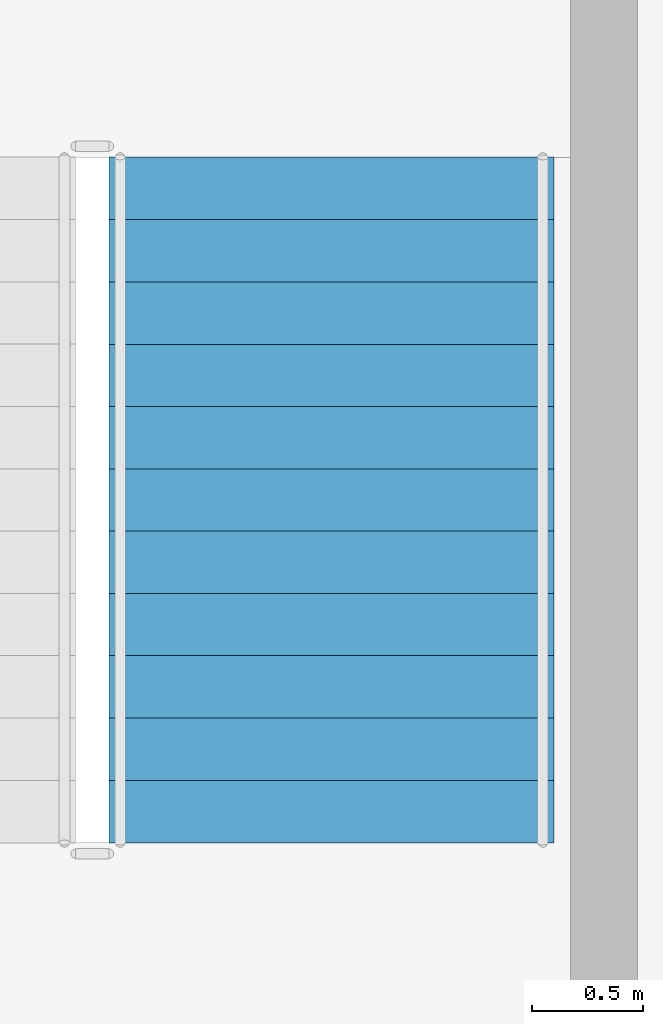
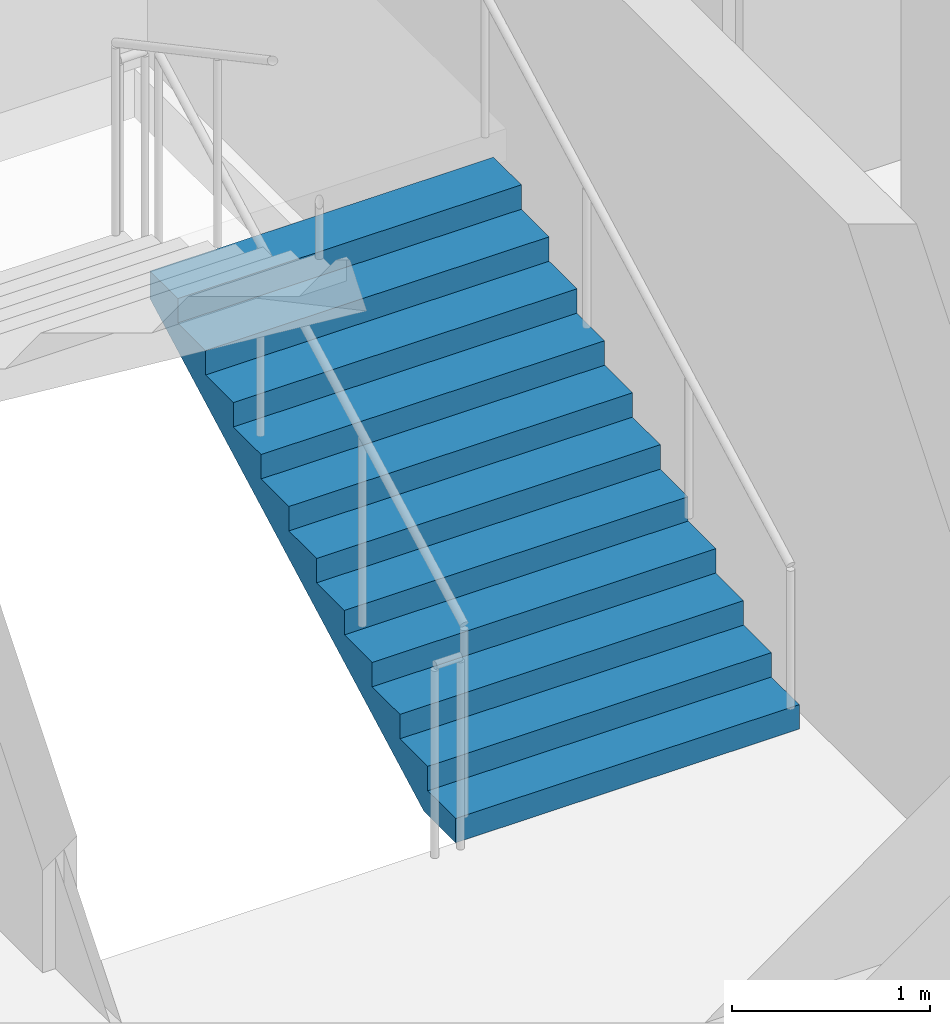
# One storey, part 12 of 19: 1 stair flight, 1 element without a shape of its own.
"""IFC4 building model written with IfcOpenShell, lengths in metres."""

from ifc_helpers import new_model, si_unit, direction, frame, origin, place, context, subcontext, project, spatial, polygons, material, type_object, element, aggregate, save


model = new_model("IFC4")

# Units and contexts
model_context = context("Model", 3, precision=1e-05, world=origin(), true_north=direction((0.0, 1.0)))
body_context = subcontext(model_context, "Body", "Model", "MODEL_VIEW")
ifc_project = project(units=[si_unit("LENGTHUNIT", "METRE"), si_unit("AREAUNIT", "SQUARE_METRE"), si_unit("VOLUMEUNIT", "CUBIC_METRE"), si_unit("PLANEANGLEUNIT", "RADIAN"), si_unit("MASSUNIT", "GRAM", prefix="KILO")], contexts=[model_context])

# Site, building, storey
site_placement = place(None, origin())
site = spatial("IfcSite", under=ifc_project, at=site_placement, CompositionType="ELEMENT")
building_placement = place(site_placement, origin())
building = spatial("IfcBuilding", under=site, at=building_placement, Name="Caravel Reach Hotel and Residences", CompositionType="ELEMENT")
storey_placement = place(building_placement, frame((0.0, 0.0, 85.199951171875)))
storey = spatial("IfcBuildingStorey", under=building, at=storey_placement, Name="L20", CompositionType="ELEMENT", Elevation=85.199951171875)

# Stair, stair flight
ifc_material_1 = material(Name="Concrete C40", Category="concrete")
stair_type = type_object("IfcStairType", Name="Core stair", PredefinedType="HALF_TURN_STAIR", material=ifc_material_1)
stair_placement = place(storey_placement, origin())
stair = element("IfcStair", 1, at=stair_placement, inside=storey, type_object=stair_type, Name="L20 Exit stair B", PredefinedType="HALF_TURN_STAIR")
ifc_material_2 = material(Name="Concrete C40", Category="concrete")
stair_flight_type = type_object("IfcStairFlightType", Name="Core stair flight", PredefinedType="STRAIGHT", material=ifc_material_2)
stair_flight_placement = place(storey_placement, frame((43.77490234375, 24.64990234375, 0.0), z_axis=(0.0, 0.0, 1.0), x_axis=(0.0, 1.0, 0.0)))
stair_flight = element("IfcStairFlight", 2, at=stair_flight_placement, type_object=stair_flight_type, Name="ST-B flight 1", NumberOfRisers=12, NumberOfTreads=11, PredefinedType="STRAIGHT", RiserHeight=0.15, TreadLength=0.28, context=body_context, shape_type="Tessellation", body=[
    polygons([(0.3174408016601862, 1.0, 0.0), (0.3174408016601862, 0.6666666666666667, 0.0), (0.3174408016601862, 0.33333333333333337, 0.0), (0.3174408016601862, 0.0, 0.0), (0.3174408016601862, -0.33333333333333326, 0.0), (0.3174408016601862, -0.6666666666666667, 0.0), (0.3174408016601862, -1.0, 0.0), (3.081, 1.0, 1.479942427682043), (3.081, 0.6666666666666667, 1.479942427682043), (3.081, 0.33333333333333337, 1.479942427682043), (3.081, 0.0, 1.479942427682043), (3.081, -0.33333333333333326, 1.479942427682043), (3.081, -0.6666666666666667, 1.479942427682043), (3.081, -1.0, 1.479942427682043), (3.081, 1.0, 1.65), (3.081, 0.6666666666666667, 1.65), (3.081, 0.33333333333333337, 1.65), (3.081, 0.0, 1.65), (3.081, -0.33333333333333326, 1.65), (3.081, -0.6666666666666667, 1.65), (3.081, -1.0, 1.65), (2.8000000000000003, 1.0, 1.65), (2.8000000000000003, 0.6666666666666667, 1.65), (2.8000000000000003, 0.33333333333333337, 1.65), (2.8000000000000003, 0.0, 1.65), (2.8000000000000003, -0.33333333333333326, 1.65), (2.8000000000000003, -0.6666666666666667, 1.65), (2.8000000000000003, -1.0, 1.65), (2.8000000000000003, 1.0, 1.5), (2.8000000000000003, 0.6666666666666667, 1.5), (2.8000000000000003, 0.33333333333333337, 1.5), (2.8000000000000003, 0.0, 1.5), (2.8000000000000003, -0.33333333333333326, 1.5), (2.8000000000000003, -0.6666666666666667, 1.5), (2.8000000000000003, -1.0, 1.5), (2.5200000000000005, 1.0, 1.5), (2.5200000000000005, 0.6666666666666667, 1.5), (2.5200000000000005, 0.33333333333333337, 1.5), (2.5200000000000005, 0.0, 1.5), (2.5200000000000005, -0.33333333333333326, 1.5), (2.5200000000000005, -0.6666666666666667, 1.5), (2.5200000000000005, -1.0, 1.5), (2.5200000000000005, 1.0, 1.3499999999999999), (2.5200000000000005, 0.6666666666666667, 1.3499999999999999), (2.5200000000000005, 0.33333333333333337, 1.3499999999999999), (2.5200000000000005, 0.0, 1.3499999999999999), (2.5200000000000005, -0.33333333333333326, 1.3499999999999999), (2.5200000000000005, -0.6666666666666667, 1.3499999999999999), (2.5200000000000005, -1.0, 1.3499999999999999), (2.24, 1.0, 1.3499999999999999), (2.24, 0.6666666666666667, 1.3499999999999999), (2.24, 0.33333333333333337, 1.3499999999999999), (2.24, 0.0, 1.3499999999999999), (2.24, -0.33333333333333326, 1.3499999999999999), (2.24, -0.6666666666666667, 1.3499999999999999), (2.24, -1.0, 1.3499999999999999), (2.24, 1.0, 1.2), (2.24, 0.6666666666666667, 1.2), (2.24, 0.33333333333333337, 1.2), (2.24, 0.0, 1.2), (2.24, -0.33333333333333326, 1.2), (2.24, -0.6666666666666667, 1.2), (2.24, -1.0, 1.2), (1.9600000000000002, 1.0, 1.2), (1.9600000000000002, 0.6666666666666667, 1.2), (1.9600000000000002, 0.33333333333333337, 1.2), (1.9600000000000002, 0.0, 1.2), (1.9600000000000002, -0.33333333333333326, 1.2), (1.9600000000000002, -0.6666666666666667, 1.2), (1.9600000000000002, -1.0, 1.2), (1.9600000000000002, 1.0, 1.05), (1.9600000000000002, 0.6666666666666667, 1.05), (1.9600000000000002, 0.33333333333333337, 1.05), (1.9600000000000002, 0.0, 1.05), (1.9600000000000002, -0.33333333333333326, 1.05), (1.9600000000000002, -0.6666666666666667, 1.05), (1.9600000000000002, -1.0, 1.05), (1.6800000000000002, 1.0, 1.05), (1.6800000000000002, 0.6666666666666667, 1.05), (1.6800000000000002, 0.33333333333333337, 1.05), (1.6800000000000002, 0.0, 1.05), (1.6800000000000002, -0.33333333333333326, 1.05), (1.6800000000000002, -0.6666666666666667, 1.05), (1.6800000000000002, -1.0, 1.05), (1.6800000000000002, 1.0, 0.8999999999999999), (1.6800000000000002, 0.6666666666666667, 0.8999999999999999), (1.6800000000000002, 0.33333333333333337, 0.8999999999999999), (1.6800000000000002, 0.0, 0.8999999999999999), (1.6800000000000002, -0.33333333333333326, 0.8999999999999999), (1.6800000000000002, -0.6666666666666667, 0.8999999999999999), (1.6800000000000002, -1.0, 0.8999999999999999), (1.4000000000000001, 1.0, 0.8999999999999999), (1.4000000000000001, 0.6666666666666667, 0.8999999999999999), (1.4000000000000001, 0.33333333333333337, 0.8999999999999999), (1.4000000000000001, 0.0, 0.8999999999999999), (1.4000000000000001, -0.33333333333333326, 0.8999999999999999), (1.4000000000000001, -0.6666666666666667, 0.8999999999999999), (1.4000000000000001, -1.0, 0.8999999999999999), (1.4000000000000001, 1.0, 0.75), (1.4000000000000001, 0.6666666666666667, 0.75), (1.4000000000000001, 0.33333333333333337, 0.75), (1.4000000000000001, 0.0, 0.75), (1.4000000000000001, -0.33333333333333326, 0.75), (1.4000000000000001, -0.6666666666666667, 0.75), (1.4000000000000001, -1.0, 0.75), (1.12, 1.0, 0.75), (1.12, 0.6666666666666667, 0.75), (1.12, 0.33333333333333337, 0.75), (1.12, 0.0, 0.75), (1.12, -0.33333333333333326, 0.75), (1.12, -0.6666666666666667, 0.75), (1.12, -1.0, 0.75), (1.12, 1.0, 0.6), (1.12, 0.6666666666666667, 0.6), (1.12, 0.33333333333333337, 0.6), (1.12, 0.0, 0.6), (1.12, -0.33333333333333326, 0.6), (1.12, -0.6666666666666667, 0.6), (1.12, -1.0, 0.6), (0.8400000000000001, 1.0, 0.6), (0.8400000000000001, 0.6666666666666667, 0.6), (0.8400000000000001, 0.33333333333333337, 0.6), (0.8400000000000001, 0.0, 0.6), (0.8400000000000001, -0.33333333333333326, 0.6), (0.8400000000000001, -0.6666666666666667, 0.6), (0.8400000000000001, -1.0, 0.6), (0.8400000000000001, 1.0, 0.44999999999999996), (0.8400000000000001, 0.6666666666666667, 0.44999999999999996), (0.8400000000000001, 0.33333333333333337, 0.44999999999999996), (0.8400000000000001, 0.0, 0.44999999999999996), (0.8400000000000001, -0.33333333333333326, 0.44999999999999996), (0.8400000000000001, -0.6666666666666667, 0.44999999999999996), (0.8400000000000001, -1.0, 0.44999999999999996), (0.56, 1.0, 0.44999999999999996), (0.56, 0.6666666666666667, 0.44999999999999996), (0.56, 0.33333333333333337, 0.44999999999999996), (0.56, 0.0, 0.44999999999999996), (0.56, -0.33333333333333326, 0.44999999999999996), (0.56, -0.6666666666666667, 0.44999999999999996), (0.56, -1.0, 0.44999999999999996), (0.56, 1.0, 0.3), (0.56, 0.6666666666666667, 0.3), (0.56, 0.33333333333333337, 0.3), (0.56, 0.0, 0.3), (0.56, -0.33333333333333326, 0.3), (0.56, -0.6666666666666667, 0.3), (0.56, -1.0, 0.3), (0.28, 1.0, 0.3), (0.28, 0.6666666666666667, 0.3), (0.28, 0.33333333333333337, 0.3), (0.28, 0.0, 0.3), (0.28, -0.33333333333333326, 0.3), (0.28, -0.6666666666666667, 0.3), (0.28, -1.0, 0.3), (0.28, 1.0, 0.15), (0.28, 0.6666666666666667, 0.15), (0.28, 0.33333333333333337, 0.15), (0.28, 0.0, 0.15), (0.28, -0.33333333333333326, 0.15), (0.28, -0.6666666666666667, 0.15), (0.28, -1.0, 0.15), (-0.001, 1.0, 0.15), (-0.001, 0.6666666666666667, 0.15), (-0.001, 0.33333333333333337, 0.15), (-0.001, 0.0, 0.15), (-0.001, -0.33333333333333326, 0.15), (-0.001, -0.6666666666666667, 0.15), (-0.001, -1.0, 0.15), (-0.001, 1.0, 0.0), (-0.001, 0.6666666666666667, 0.0), (-0.001, 0.33333333333333337, 0.0), (-0.001, 0.0, 0.0), (-0.001, -0.33333333333333326, 0.0), (-0.001, -0.6666666666666667, 0.0), (-0.001, -1.0, 0.0)], [[[169, 162, 155, 148, 141, 134, 127, 120, 113, 106, 99, 92, 85, 78, 71, 64, 57, 50, 43, 36, 29, 22, 15, 8, 1]], [[7, 14, 21, 28, 35, 42, 49, 56, 63, 70, 77, 84, 91, 98, 105, 112, 119, 126, 133, 140, 147, 154, 161, 168, 175]], [[1, 8, 9, 2]], [[2, 9, 10, 3]], [[3, 10, 11, 4]], [[4, 11, 12, 5]], [[5, 12, 13, 6]], [[6, 13, 14, 7]], [[8, 15, 16, 9]], [[9, 16, 17, 10]], [[10, 17, 18, 11]], [[11, 18, 19, 12]], [[12, 19, 20, 13]], [[13, 20, 21, 14]], [[15, 22, 23, 16]], [[16, 23, 24, 17]], [[17, 24, 25, 18]], [[18, 25, 26, 19]], [[19, 26, 27, 20]], [[20, 27, 28, 21]], [[22, 29, 30, 23]], [[23, 30, 31, 24]], [[24, 31, 32, 25]], [[25, 32, 33, 26]], [[26, 33, 34, 27]], [[27, 34, 35, 28]], [[29, 36, 37, 30]], [[30, 37, 38, 31]], [[31, 38, 39, 32]], [[32, 39, 40, 33]], [[33, 40, 41, 34]], [[34, 41, 42, 35]], [[36, 43, 44, 37]], [[37, 44, 45, 38]], [[38, 45, 46, 39]], [[39, 46, 47, 40]], [[40, 47, 48, 41]], [[41, 48, 49, 42]], [[43, 50, 51, 44]], [[44, 51, 52, 45]], [[45, 52, 53, 46]], [[46, 53, 54, 47]], [[47, 54, 55, 48]], [[48, 55, 56, 49]], [[50, 57, 58, 51]], [[51, 58, 59, 52]], [[52, 59, 60, 53]], [[53, 60, 61, 54]], [[54, 61, 62, 55]], [[55, 62, 63, 56]], [[57, 64, 65, 58]], [[58, 65, 66, 59]], [[59, 66, 67, 60]], [[60, 67, 68, 61]], [[61, 68, 69, 62]], [[62, 69, 70, 63]], [[64, 71, 72, 65]], [[65, 72, 73, 66]], [[66, 73, 74, 67]], [[67, 74, 75, 68]], [[68, 75, 76, 69]], [[69, 76, 77, 70]], [[71, 78, 79, 72]], [[72, 79, 80, 73]], [[73, 80, 81, 74]], [[74, 81, 82, 75]], [[75, 82, 83, 76]], [[76, 83, 84, 77]], [[78, 85, 86, 79]], [[79, 86, 87, 80]], [[80, 87, 88, 81]], [[81, 88, 89, 82]], [[82, 89, 90, 83]], [[83, 90, 91, 84]], [[85, 92, 93, 86]], [[86, 93, 94, 87]], [[87, 94, 95, 88]], [[88, 95, 96, 89]], [[89, 96, 97, 90]], [[90, 97, 98, 91]], [[92, 99, 100, 93]], [[93, 100, 101, 94]], [[94, 101, 102, 95]], [[95, 102, 103, 96]], [[96, 103, 104, 97]], [[97, 104, 105, 98]], [[99, 106, 107, 100]], [[100, 107, 108, 101]], [[101, 108, 109, 102]], [[102, 109, 110, 103]], [[103, 110, 111, 104]], [[104, 111, 112, 105]], [[106, 113, 114, 107]], [[107, 114, 115, 108]], [[108, 115, 116, 109]], [[109, 116, 117, 110]], [[110, 117, 118, 111]], [[111, 118, 119, 112]], [[113, 120, 121, 114]], [[114, 121, 122, 115]], [[115, 122, 123, 116]], [[116, 123, 124, 117]], [[117, 124, 125, 118]], [[118, 125, 126, 119]], [[120, 127, 128, 121]], [[121, 128, 129, 122]], [[122, 129, 130, 123]], [[123, 130, 131, 124]], [[124, 131, 132, 125]], [[125, 132, 133, 126]], [[127, 134, 135, 128]], [[128, 135, 136, 129]], [[129, 136, 137, 130]], [[130, 137, 138, 131]], [[131, 138, 139, 132]], [[132, 139, 140, 133]], [[134, 141, 142, 135]], [[135, 142, 143, 136]], [[136, 143, 144, 137]], [[137, 144, 145, 138]], [[138, 145, 146, 139]], [[139, 146, 147, 140]], [[141, 148, 149, 142]], [[142, 149, 150, 143]], [[143, 150, 151, 144]], [[144, 151, 152, 145]], [[145, 152, 153, 146]], [[146, 153, 154, 147]], [[148, 155, 156, 149]], [[149, 156, 157, 150]], [[150, 157, 158, 151]], [[151, 158, 159, 152]], [[152, 159, 160, 153]], [[153, 160, 161, 154]], [[155, 162, 163, 156]], [[156, 163, 164, 157]], [[157, 164, 165, 158]], [[158, 165, 166, 159]], [[159, 166, 167, 160]], [[160, 167, 168, 161]], [[162, 169, 170, 163]], [[163, 170, 171, 164]], [[164, 171, 172, 165]], [[165, 172, 173, 166]], [[166, 173, 174, 167]], [[167, 174, 175, 168]], [[169, 1, 2, 170]], [[170, 2, 3, 171]], [[171, 3, 4, 172]], [[172, 4, 5, 173]], [[173, 5, 6, 174]], [[174, 6, 7, 175]]], closed=True),
])
aggregate(stair, [stair_flight])

save(model, "model.ifc")
